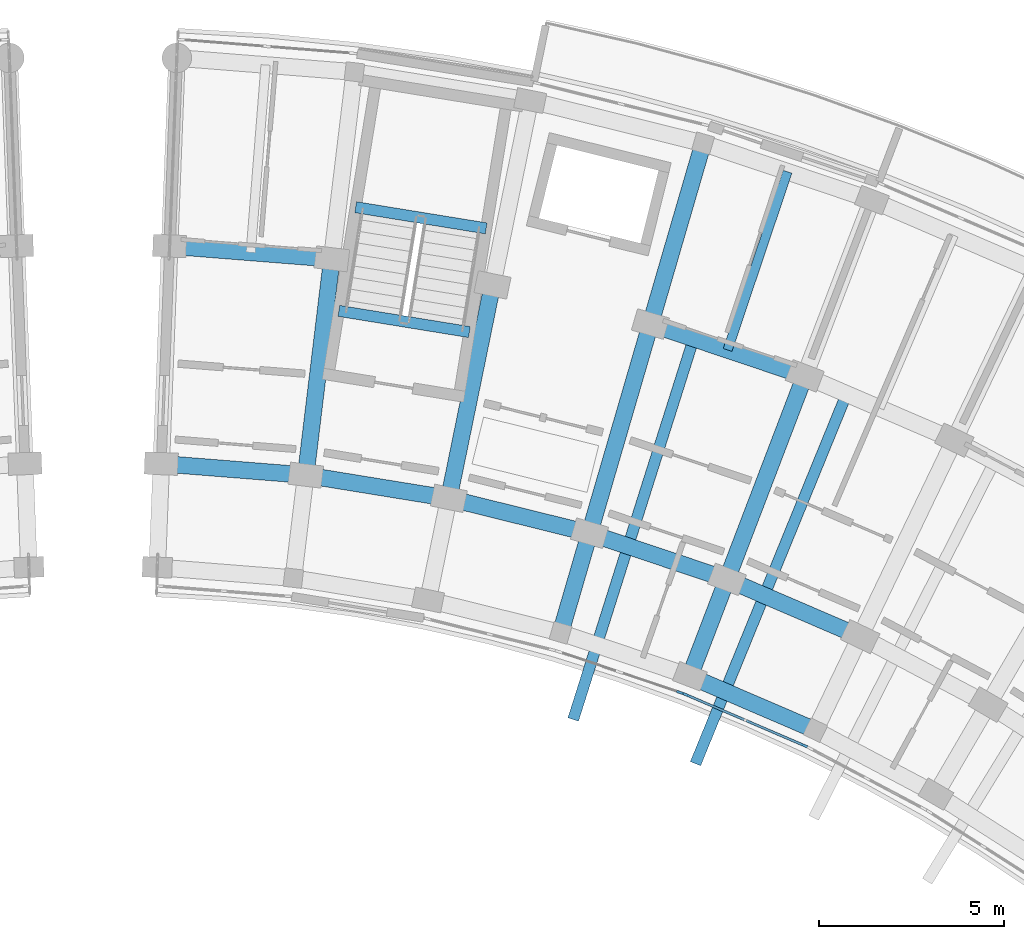
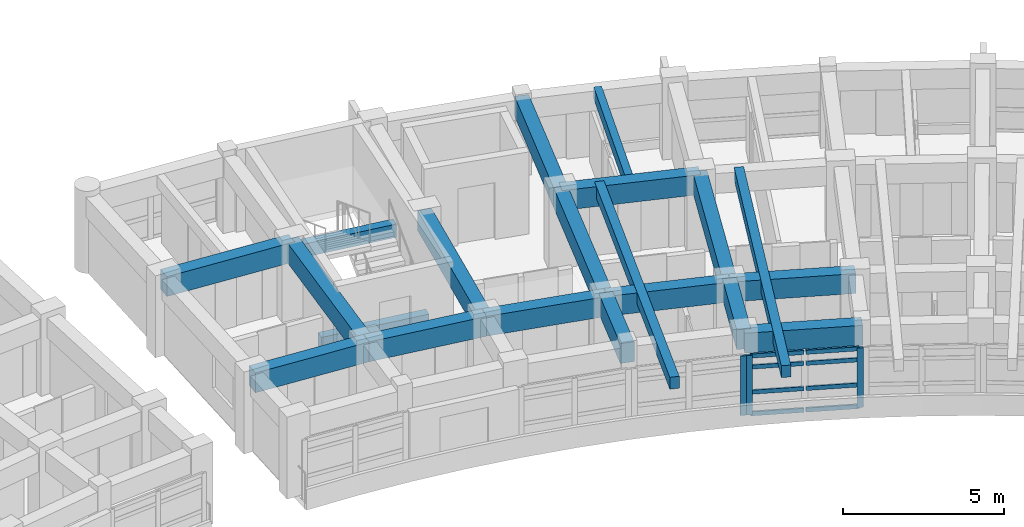
# One storey, part 18 of 70: 20 beams, 11 members, 2 elements without a shape of their own.
"""IFC4 building model written with IfcOpenShell, lengths in metres."""

from ifc_helpers import new_model, si_unit, direction, frame, origin, origin_2d, place, context, subcontext, project, spatial, rectangle, extrude, material, material_profile, profile_set, type_object, element, aggregate, save


model = new_model("IFC4")

# Units and contexts
model_context = context("Model", 3, precision=1e-05, world=origin(), true_north=direction((0.0, 1.0)))
body_context = subcontext(model_context, "Body", "Model", "MODEL_VIEW")
ifc_project = project(units=[si_unit("LENGTHUNIT", "METRE"), si_unit("AREAUNIT", "SQUARE_METRE"), si_unit("VOLUMEUNIT", "CUBIC_METRE"), si_unit("PLANEANGLEUNIT", "RADIAN"), si_unit("MASSUNIT", "GRAM", prefix="KILO")], contexts=[model_context])

# Site, building, storey
site_placement = place(None, origin())
site = spatial("IfcSite", under=ifc_project, at=site_placement, CompositionType="ELEMENT")
building_placement = place(site_placement, origin())
building = spatial("IfcBuilding", under=site, at=building_placement, Name="Zimvara Arc Housing Community", CompositionType="ELEMENT")
storey_placement = place(building_placement, frame((0.0, 0.0, 8.10009765625)))
storey = spatial("IfcBuildingStorey", under=building, at=storey_placement, Name="L02", CompositionType="ELEMENT", Elevation=8.10009765625)

# Beams
ifc_material_1 = material(Name="Concrete C40/50", Category="concrete")
ifc_material_profile_1 = material_profile(ifc_material_1, rectangle(XDim=0.25, YDim=0.449951171875, at=origin_2d()), Name="RC 250x450")
ifc_profile_set_1 = profile_set([ifc_material_profile_1], Name="Concrete C40/50")
beam_type_1 = type_object("IfcBeamType", Name="BM-RC-250x450", PredefinedType="JOIST", material=ifc_profile_set_1)
beam_1_placement = place(storey_placement, frame((62.1279296875, 95.453369140625, 2.65478515625), z_axis=(0.318607669836, 0.947886677152, 0.0), x_axis=(-0.947886677152, 0.318607669836, 0.0)))
element("IfcBeam", 1, at=beam_1_placement, inside=storey, type_object=beam_type_1, Name="bm:blkB:L02:joist:b3", PredefinedType="JOIST", context=body_context, shape_type="SweptSolid", body=[
    extrude(rectangle(XDim=0.25, YDim=0.449951171875, at=origin_2d()), origin(), (0.0, 0.0, 1.0), 5.07568359375),
])
ifc_material_2 = material(Name="Concrete C40/50", Category="concrete")
ifc_material_profile_2 = material_profile(ifc_material_2, rectangle(XDim=0.300048828125, YDim=0.449951171875, at=origin_2d()), Name="RC 300x450")
ifc_profile_set_2 = profile_set([ifc_material_profile_2], Name="Concrete C40/50")
beam_type_2 = type_object("IfcBeamType", Name="BM-RC-300x450", PredefinedType="JOIST", material=ifc_profile_set_2)
beam_2_placement = place(storey_placement, frame((61.22314453125, 95.795654296875, 2.664794921875), z_axis=(-0.301541693036, -0.953452991689, 0.0), x_axis=(0.953452991689, -0.301541693036, 0.0)))
element("IfcBeam", 2, at=beam_2_placement, inside=storey, type_object=beam_type_2, Name="bm:blkB:L02:cant_in:b3", PredefinedType="JOIST", context=body_context, shape_type="SweptSolid", body=[
    extrude(rectangle(XDim=0.300048828125, YDim=0.449951171875, at=origin_2d()), origin(), (0.0, 0.0, 1.0), 10.820068359375),
])
beam_3_placement = place(storey_placement, frame((65.354248046875, 94.301025390625, 2.664794921875), z_axis=(-0.378332343777, -0.92566983188, 0.0), x_axis=(0.92566983188, -0.378332343777, 0.0)))
element("IfcBeam", 3, at=beam_3_placement, inside=storey, type_object=beam_type_2, Name="bm:blkB:L02:cant_in:b4", PredefinedType="JOIST", context=body_context, shape_type="SweptSolid", body=[
    extrude(rectangle(XDim=0.300048828125, YDim=0.449951171875, at=origin_2d()), origin(), (0.0, 0.0, 1.0), 10.81982421875),
])
ifc_material_3 = material(Name="Concrete C40/50", Category="concrete")
ifc_material_profile_3 = material_profile(ifc_material_3, rectangle(XDim=0.300048828125, YDim=0.5, at=origin_2d()), Name="RC 300x500")
ifc_profile_set_3 = profile_set([ifc_material_profile_3], Name="Concrete C40/50")
beam_type_3 = type_object("IfcBeamType", Name="BM-RC-300x500", PredefinedType="BEAM", material=ifc_profile_set_3)
for number, where, z_axis, x_axis, name in (
    (4, (55.15771484375, 95.93701171875, -0.25), (-0.987080057935, 0.160227835371, 0.0), (-0.160227835371, -0.987080057935, 0.0), "bm:stair_trim:ST-B1:L02:near"),
    (5, (55.612060546875, 98.7353515625, 1.2998046875), (-0.987080057935, 0.160227835371, 0.0), (-0.160227835371, -0.987080057935, 0.0), "bm:stair_trim:ST-B1:L02:mid"),
):
    element("IfcBeam", number, at=place(storey_placement, frame(where, z_axis=z_axis, x_axis=x_axis)), inside=storey, type_object=beam_type_3, Name=name, PredefinedType="BEAM", context=body_context, shape_type="SweptSolid", body=[
        extrude(rectangle(XDim=0.300048828125, YDim=0.5, at=origin_2d()), origin(), (0.0, 0.0, 1.0), 3.570068359375),
    ])
ifc_material_4 = material(Name="Concrete C40/50", Category="concrete")
ifc_material_profile_4 = material_profile(ifc_material_4, rectangle(XDim=0.449951171875, YDim=0.75, at=origin_2d()), Name="RC 450x750")
ifc_profile_set_4 = profile_set([ifc_material_profile_4], Name="Concrete C40/50")
beam_type_4 = type_object("IfcBeamType", Name="BM-RC-450x750", PredefinedType="BEAM", material=ifc_profile_set_4)
beam_4_placement = place(storey_placement, frame((61.11083984375, 86.645751953125, 2.5048828125), z_axis=(0.918705736243, -0.394942742932, 0.0), x_axis=(0.394942742932, 0.918705736243, 0.0)))
element("IfcBeam", 6, at=beam_4_placement, inside=storey, type_object=beam_type_4, Name="bm:blkB:L02:chord:r0:b4", PredefinedType="BEAM", context=body_context, shape_type="SweptSolid", body=[
    extrude(rectangle(XDim=0.449951171875, YDim=0.75, at=origin_2d()), origin(), (0.0, 0.0, 1.0), 3.684326171875),
])
beam_5_placement = place(storey_placement, frame((46.839599609375, 92.384765625, 2.5048828125), z_axis=(0.99686054795, -0.079177319606, 0.0), x_axis=(0.079177319606, 0.99686054795, 0.0)))
element("IfcBeam", 7, at=beam_5_placement, inside=storey, type_object=beam_type_4, Name="bm:blkB:L02:chord:r1:b0", PredefinedType="BEAM", context=body_context, shape_type="SweptSolid", body=[
    extrude(rectangle(XDim=0.449951171875, YDim=0.75, at=origin_2d()), origin(), (0.0, 0.0, 1.0), 3.912841796875),
])
for number, where, z_axis, x_axis, name in (
    (8, (50.740234375, 92.074951171875, 2.5048828125), (0.987081487371, -0.160219029111, 0.0), (0.160219029111, 0.987081487371, 0.0), "bm:blkB:L02:chord:r1:b1"),
    (9, (54.602783203125, 91.447998046875, 2.5048828125), (0.970708671682, -0.240259598602, 0.0), (0.240259598602, 0.970708671682, 0.0), "bm:blkB:L02:chord:r1:b2"),
    (10, (58.4013671875, 90.5078125, 2.5048828125), (0.947881689069, -0.31862250945, 0.0), (0.31862250945, 0.947881689069, 0.0), "bm:blkB:L02:chord:r1:b3"),
    (11, (62.110595703125, 89.260986328125, 2.5048828125), (0.91873144242, -0.394882940514, 0.0), (0.394882940514, 0.91873144242, 0.0), "bm:blkB:L02:chord:r1:b4"),
):
    element("IfcBeam", number, at=place(storey_placement, frame(where, z_axis=z_axis, x_axis=x_axis)), inside=storey, type_object=beam_type_4, Name=name, PredefinedType="BEAM", context=body_context, shape_type="SweptSolid", body=[
        extrude(rectangle(XDim=0.449951171875, YDim=0.75, at=origin_2d()), origin(), (0.0, 0.0, 1.0), 3.9130859375),
    ])
beam_6_placement = place(storey_placement, frame((47.065185546875, 98.26025390625, 2.5048828125), z_axis=(0.996864209836, -0.079131202119, 0.0), x_axis=(0.079131202119, 0.996864209836, 0.0)))
element("IfcBeam", 12, at=beam_6_placement, inside=storey, type_object=beam_type_4, Name="bm:blkB:L02:chord:r2:b0", PredefinedType="BEAM", context=body_context, shape_type="SweptSolid", body=[
    extrude(rectangle(XDim=0.449951171875, YDim=0.75, at=origin_2d()), origin(), (0.0, 0.0, 1.0), 4.393310546875),
])
beam_7_placement = place(storey_placement, frame((60.0458984375, 96.1533203125, 2.5048828125), z_axis=(0.947868796036, -0.318660862832, 0.0), x_axis=(0.318660862832, 0.947868796036, 0.0)))
element("IfcBeam", 13, at=beam_7_placement, inside=storey, type_object=beam_type_4, Name="bm:blkB:L02:chord:r2:b3", PredefinedType="BEAM", context=body_context, shape_type="SweptSolid", body=[
    extrude(rectangle(XDim=0.449951171875, YDim=0.75, at=origin_2d()), origin(), (0.0, 0.0, 1.0), 4.39306640625),
])
for number, where, z_axis, x_axis, name in (
    (14, (50.740234375, 92.074951171875, 2.5048828125), (0.119827921695, 0.992794676246, 0.0), (-0.992794676246, 0.119827921695, 0.0), "bm:blkB:L02:rad:b1:r12"),
    (15, (54.602783203125, 91.447998046875, 2.5048828125), (0.200417973989, 0.979710485655, 0.0), (-0.979710485655, 0.200417973989, 0.0), "bm:blkB:L02:rad:b2:r12"),
):
    element("IfcBeam", number, at=place(storey_placement, frame(where, z_axis=z_axis, x_axis=x_axis)), inside=storey, type_object=beam_type_4, Name=name, PredefinedType="BEAM", context=body_context, shape_type="SweptSolid", body=[
        extrude(rectangle(XDim=0.449951171875, YDim=0.75, at=origin_2d()), origin(), (0.0, 0.0, 1.0), 5.880126953125),
    ])
beam_8_placement = place(storey_placement, frame((57.618408203125, 87.819580078125, 2.5048828125), z_axis=(0.279635015525, 0.960106378529, 0.0), x_axis=(-0.960106378529, 0.279635015525, 0.0)))
element("IfcBeam", 16, at=beam_8_placement, inside=storey, type_object=beam_type_4, Name="bm:blkB:L02:rad:b3:r01", PredefinedType="BEAM", context=body_context, shape_type="SweptSolid", body=[
    extrude(rectangle(XDim=0.449951171875, YDim=0.75, at=origin_2d()), origin(), (0.0, 0.0, 1.0), 2.800048828125),
])
beam_9_placement = place(storey_placement, frame((58.4013671875, 90.5078125, 2.5048828125), z_axis=(0.27967473749, 0.960094808449, 0.0), x_axis=(-0.960094808449, 0.27967473749, 0.0)))
element("IfcBeam", 17, at=beam_9_placement, inside=storey, type_object=beam_type_4, Name="bm:blkB:L02:rad:b3:r12", PredefinedType="BEAM", context=body_context, shape_type="SweptSolid", body=[
    extrude(rectangle(XDim=0.449951171875, YDim=0.75, at=origin_2d()), origin(), (0.0, 0.0, 1.0), 5.880126953125),
])
beam_10_placement = place(storey_placement, frame((60.0458984375, 96.1533203125, 2.5048828125), z_axis=(0.279662254096, 0.960098444762, 0.0), x_axis=(-0.960098444762, 0.279662254096, 0.0)))
element("IfcBeam", 18, at=beam_10_placement, inside=storey, type_object=beam_type_4, Name="bm:blkB:L02:rad:b3:r23", PredefinedType="BEAM", context=body_context, shape_type="SweptSolid", body=[
    extrude(rectangle(XDim=0.449951171875, YDim=0.75, at=origin_2d()), origin(), (0.0, 0.0, 1.0), 5.079833984375),
])
beam_11_placement = place(storey_placement, frame((61.11083984375, 86.645751953125, 2.5048828125), z_axis=(0.357079289134, 0.934074076972, 0.0), x_axis=(-0.934074076972, 0.357079289134, 0.0)))
element("IfcBeam", 19, at=beam_11_placement, inside=storey, type_object=beam_type_4, Name="bm:blkB:L02:rad:b4:r01", PredefinedType="BEAM", context=body_context, shape_type="SweptSolid", body=[
    extrude(rectangle(XDim=0.449951171875, YDim=0.75, at=origin_2d()), origin(), (0.0, 0.0, 1.0), 2.7998046875),
])
beam_12_placement = place(storey_placement, frame((62.110595703125, 89.260986328125, 2.5048828125), z_axis=(0.357036247742, 0.934090529766, 0.0), x_axis=(-0.934090529766, 0.357036247742, 0.0)))
element("IfcBeam", 20, at=beam_12_placement, inside=storey, type_object=beam_type_4, Name="bm:blkB:L02:rad:b4:r12", PredefinedType="BEAM", context=body_context, shape_type="SweptSolid", body=[
    extrude(rectangle(XDim=0.449951171875, YDim=0.75, at=origin_2d()), origin(), (0.0, 0.0, 1.0), 5.8798828125),
])

# Curtain wall, member
ifc_material_5 = material(Name="Anodised Aluminium AW-6063", Category="aluminium")
curtain_wall_type_1 = type_object("IfcCurtainWallType", Name="CW-SYS-05", PredefinedType="USERDEFINED", material=ifc_material_5)
curtain_wall_1_placement = place(storey_placement, origin())
curtain_wall_1 = element("IfcCurtainWall", 21, at=curtain_wall_1_placement, inside=storey, type_object=curtain_wall_type_1, Name="cw:blkB:L02:in:b3", ObjectType="CURTAIN WALL", PredefinedType="USERDEFINED")
ifc_material_6 = material(Name="Anodised Aluminium AW-6063", Category="aluminium")
ifc_material_profile_5 = material_profile(ifc_material_6, rectangle(XDim=0.06494140625, YDim=0.195068359375, at=origin_2d()), Name="ALU 65x195")
ifc_profile_set_5 = profile_set([ifc_material_profile_5], Name="Anodised Aluminium AW-6063")
member_type_1 = type_object("IfcMemberType", Name="CWM-65x180", PredefinedType="MULLION", material=ifc_profile_set_5)
member_1_placement = place(storey_placement, frame((60.844482421875, 86.2080078125, 0.0), z_axis=(0.0, 0.0, 1.0), x_axis=(0.318630249383, 0.94787908732, 0.0)))
member_1 = element("IfcMember", 22, at=member_1_placement, type_object=member_type_1, Name="CW05 mullion 3", PredefinedType="MULLION", context=body_context, shape_type="SweptSolid", body=[
    extrude(rectangle(XDim=0.06494140625, YDim=0.195068359375, at=origin_2d()), origin(), (0.0, 0.0, 1.0), 2.25),
])
aggregate(curtain_wall_1, [member_1])

# Curtain wall, members
ifc_material_7 = material(Name="Anodised Aluminium AW-6063", Category="aluminium")
curtain_wall_type_2 = type_object("IfcCurtainWallType", Name="CW-SYS-07", PredefinedType="USERDEFINED", material=ifc_material_7)
curtain_wall_2_placement = place(storey_placement, origin())
curtain_wall_2 = element("IfcCurtainWall", 23, at=curtain_wall_2_placement, inside=storey, type_object=curtain_wall_type_2, Name="cw:blkB:L02:in:b4", ObjectType="CURTAIN WALL", PredefinedType="USERDEFINED")
member_2_placement = place(storey_placement, frame((61.01708984375, 86.14208984375, 0.0), z_axis=(0.0, 0.0, 1.0), x_axis=(0.394904493375, 0.918722178415, 0.0)))
member_2 = element("IfcMember", 24, at=member_2_placement, type_object=member_type_1, Name="CW07 mullion 1", PredefinedType="MULLION", context=body_context, shape_type="SweptSolid", body=[
    extrude(rectangle(XDim=0.06494140625, YDim=0.195068359375, at=origin_2d()), origin(), (0.0, 0.0, 1.0), 2.25),
])
member_3_placement = place(storey_placement, frame((64.194580078125, 84.7763671875, 0.0), z_axis=(0.0, 0.0, 1.0), x_axis=(0.394904493375, 0.918722178415, 0.0)))
member_3 = element("IfcMember", 25, at=member_3_placement, type_object=member_type_1, Name="CW07 mullion 3", PredefinedType="MULLION", context=body_context, shape_type="SweptSolid", body=[
    extrude(rectangle(XDim=0.06494140625, YDim=0.195068359375, at=origin_2d()), origin(), (0.0, 0.0, 1.0), 2.25),
])
ifc_material_8 = material(Name="Anodised Aluminium AW-6063", Category="aluminium")
ifc_material_profile_6 = material_profile(ifc_material_8, rectangle(XDim=0.06494140625, YDim=0.155029296875, at=origin_2d()), Name="ALU 65x155")
ifc_profile_set_6 = profile_set([ifc_material_profile_6], Name="Anodised Aluminium AW-6063")
member_type_2 = type_object("IfcMemberType", Name="CWT-65x140", PredefinedType="USERDEFINED", material=ifc_profile_set_6)
member_4_placement = place(storey_placement, frame((61.047119140625, 86.12939453125, 0.032470703125), z_axis=(0.918673978315, -0.395016609229, 0.0), x_axis=(0.395016609229, 0.918673978315, 0.0)))
member_4 = element("IfcMember", 26, at=member_4_placement, type_object=member_type_2, Name="CW07 transom 1.1", ObjectType="TRANSOM", PredefinedType="USERDEFINED", context=body_context, shape_type="SweptSolid", body=[
    extrude(rectangle(XDim=0.06494140625, YDim=0.155029296875, at=origin_2d()), origin(), (0.0, 0.0, 1.0), 1.664306640625),
])
member_5_placement = place(storey_placement, frame((61.047119140625, 86.12939453125, 0.849853515625), z_axis=(0.918673978315, -0.395016609229, 0.0), x_axis=(0.395016609229, 0.918673978315, 0.0)))
member_5 = element("IfcMember", 27, at=member_5_placement, type_object=member_type_2, Name="CW07 transom 1.2", ObjectType="TRANSOM", PredefinedType="USERDEFINED", context=body_context, shape_type="SweptSolid", body=[
    extrude(rectangle(XDim=0.06494140625, YDim=0.155029296875, at=origin_2d()), origin(), (0.0, 0.0, 1.0), 1.664306640625),
])
member_6_placement = place(storey_placement, frame((61.047119140625, 86.12939453125, 1.7998046875), z_axis=(0.918673978315, -0.395016609229, 0.0), x_axis=(0.395016609229, 0.918673978315, 0.0)))
member_6 = element("IfcMember", 28, at=member_6_placement, type_object=member_type_2, Name="CW07 transom 1.3", ObjectType="TRANSOM", PredefinedType="USERDEFINED", context=body_context, shape_type="SweptSolid", body=[
    extrude(rectangle(XDim=0.06494140625, YDim=0.155029296875, at=origin_2d()), origin(), (0.0, 0.0, 1.0), 1.664306640625),
])
member_7_placement = place(storey_placement, frame((61.047119140625, 86.12939453125, 2.21728515625), z_axis=(0.918673978315, -0.395016609229, 0.0), x_axis=(0.395016609229, 0.918673978315, 0.0)))
member_7 = element("IfcMember", 29, at=member_7_placement, type_object=member_type_2, Name="CW07 transom 1.4", ObjectType="TRANSOM", PredefinedType="USERDEFINED", context=body_context, shape_type="SweptSolid", body=[
    extrude(rectangle(XDim=0.06494140625, YDim=0.155029296875, at=origin_2d()), origin(), (0.0, 0.0, 1.0), 1.664306640625),
])
member_8_placement = place(storey_placement, frame((62.6357421875, 85.4462890625, 0.032470703125), z_axis=(0.918727202972, -0.394892803832, 0.0), x_axis=(0.394892803832, 0.918727202972, 0.0)))
member_8 = element("IfcMember", 30, at=member_8_placement, type_object=member_type_2, Name="CW07 transom 2.1", ObjectType="TRANSOM", PredefinedType="USERDEFINED", context=body_context, shape_type="SweptSolid", body=[
    extrude(rectangle(XDim=0.06494140625, YDim=0.155029296875, at=origin_2d()), origin(), (0.0, 0.0, 1.0), 1.664306640625),
])
member_9_placement = place(storey_placement, frame((62.6357421875, 85.4462890625, 0.849853515625), z_axis=(0.918727202972, -0.394892803832, 0.0), x_axis=(0.394892803832, 0.918727202972, 0.0)))
member_9 = element("IfcMember", 31, at=member_9_placement, type_object=member_type_2, Name="CW07 transom 2.2", ObjectType="TRANSOM", PredefinedType="USERDEFINED", context=body_context, shape_type="SweptSolid", body=[
    extrude(rectangle(XDim=0.06494140625, YDim=0.155029296875, at=origin_2d()), origin(), (0.0, 0.0, 1.0), 1.664306640625),
])
member_10_placement = place(storey_placement, frame((62.6357421875, 85.4462890625, 1.7998046875), z_axis=(0.918727202972, -0.394892803832, 0.0), x_axis=(0.394892803832, 0.918727202972, 0.0)))
member_10 = element("IfcMember", 32, at=member_10_placement, type_object=member_type_2, Name="CW07 transom 2.3", ObjectType="TRANSOM", PredefinedType="USERDEFINED", context=body_context, shape_type="SweptSolid", body=[
    extrude(rectangle(XDim=0.06494140625, YDim=0.155029296875, at=origin_2d()), origin(), (0.0, 0.0, 1.0), 1.664306640625),
])
member_11_placement = place(storey_placement, frame((62.6357421875, 85.4462890625, 2.21728515625), z_axis=(0.918727202972, -0.394892803832, 0.0), x_axis=(0.394892803832, 0.918727202972, 0.0)))
member_11 = element("IfcMember", 33, at=member_11_placement, type_object=member_type_2, Name="CW07 transom 2.4", ObjectType="TRANSOM", PredefinedType="USERDEFINED", context=body_context, shape_type="SweptSolid", body=[
    extrude(rectangle(XDim=0.06494140625, YDim=0.155029296875, at=origin_2d()), origin(), (0.0, 0.0, 1.0), 1.664306640625),
])
aggregate(curtain_wall_2, [member_2, member_3, member_4, member_5, member_6, member_7, member_8, member_9, member_10, member_11])

save(model, "model.ifc")
